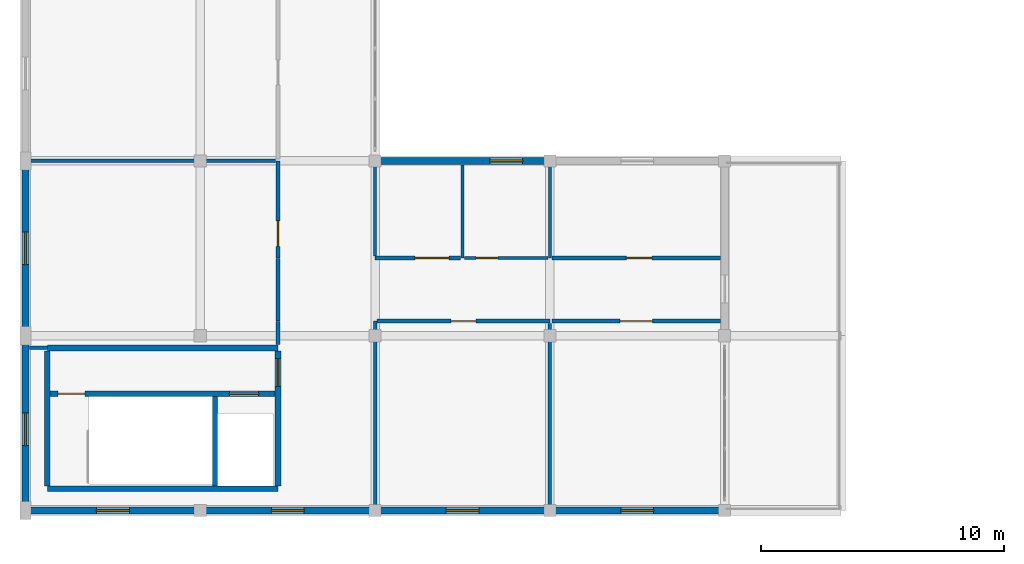
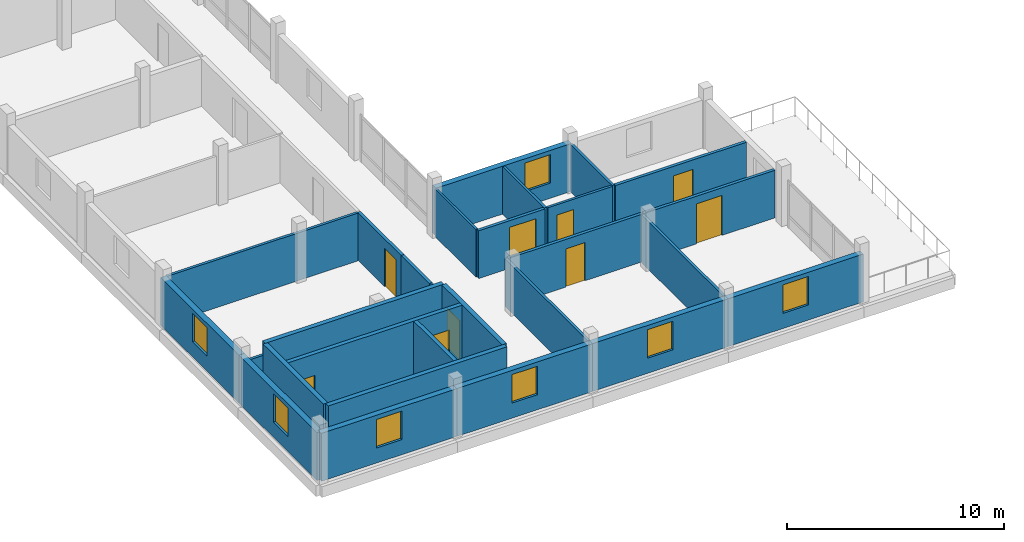
# One storey, part 14 of 18: 28 walls, 9 doors, 7 windows, 16 openings.
"""IFC4 building model written with IfcOpenShell, lengths in metres."""

from ifc_helpers import new_model, si_unit, direction, frame, frame_2d, origin, origin_with_axes, place, context, subcontext, project, spatial, rectangle, extrude, material, layer, layer_set, type_object, element, fill, save


model = new_model("IFC4")

# Units and contexts
model_context = context("Model", 3, precision=1e-05, world=origin(), true_north=direction((0.0, 1.0)))
body_context = subcontext(model_context, "Body", "Model", "MODEL_VIEW")
ifc_project = project(units=[si_unit("LENGTHUNIT", "METRE"), si_unit("AREAUNIT", "SQUARE_METRE"), si_unit("VOLUMEUNIT", "CUBIC_METRE"), si_unit("PLANEANGLEUNIT", "RADIAN"), si_unit("MASSUNIT", "GRAM", prefix="KILO")], contexts=[model_context])

# Site, building, storey
site_placement = place(None, origin())
site = spatial("IfcSite", under=ifc_project, at=site_placement, CompositionType="ELEMENT")
building_placement = place(site_placement, origin())
building = spatial("IfcBuilding", under=site, at=building_placement, Name="Zornivar Specialist Clinic", CompositionType="ELEMENT")
storey_placement = place(building_placement, frame((0.0, 0.0, 23.39990234375)))
storey = spatial("IfcBuildingStorey", under=building, at=storey_placement, Name="L06", CompositionType="ELEMENT", Elevation=23.39990234375)

# Wall, opening, window
ifc_material_1 = material(Name="Masonry Timber-Clad Insulated Upper Cumba Wall", Category="masonry")
ifc_layer_1 = layer(ifc_material_1, 0.300048828125)
ifc_layer_set_1 = layer_set([ifc_layer_1], Name="Masonry Timber-Clad Insulated Upper Cumba Wall")
wall_type_1 = type_object("IfcWallType", Name="EW-CUMBA-300", PredefinedType="SOLIDWALL", material=ifc_layer_set_1)
wall_1_placement = place(storey_placement, origin_with_axes())
wall_1 = element("IfcWall", 1, at=wall_1_placement, inside=storey, type_object=wall_type_1, Name="ew:V2:L06:00", PredefinedType="SOLIDWALL", context=body_context, shape_type="SweptSolid", body=[
    extrude(rectangle(XDim=7.199951171875, YDim=0.300048828125, at=frame_2d((3.60009765625, 0.0))), origin(), (0.0, 0.0, 1.0), 2.690185546875),
])
opening_1_placement = place(wall_1_placement, frame((2.925048828125, 0.0, 0.85009765625)))
opening_1 = element("IfcOpeningElement", 2, at=opening_1_placement, cuts=wall_1, Name="Opening W-11", PredefinedType="OPENING", context=body_context, shape_type="SweptSolid", body=[
    extrude(rectangle(XDim=1.35009765625, YDim=1.60009765625, at=frame_2d((0.675048828125, 0.800048828125))), frame((0.0, 0.159912109375, 0.0), z_axis=(0.0, -1.0, 0.0), x_axis=(1.0, 0.0, 0.0)), (0.0, 0.0, 1.0), 0.320068359375),
])
ifc_material_2 = material(Name="Triple-Glazed Aluminium-Timber Window Glass", Category="wood")
window_type = type_object("IfcWindowType", Name="WIN-ATTIC-CORNER-1350x1600", PartitioningType="SINGLE_PANEL", PredefinedType="WINDOW", material=ifc_material_2)
window_1_placement = place(opening_1_placement, origin())
window_1 = element("IfcWindow", 3, at=window_1_placement, inside=storey, type_object=window_type, Name="win:V2:L06:00", OverallHeight=1.60009765625, OverallWidth=1.35009765625, PartitioningType="SINGLE_PANEL", PredefinedType="WINDOW", context=body_context, shape_type="SweptSolid", body=[
    extrude(rectangle(XDim=1.35009765625, YDim=1.60009765625, at=frame_2d((0.675048828125, 0.800048828125))), frame((0.0, 0.030029296875, 0.0), z_axis=(0.0, -1.0, 0.0), x_axis=(1.0, 0.0, 0.0)), (0.0, 0.0, 1.0), 0.06005859375),
])
fill(opening_1, window_1)

wall_2_placement = place(storey_placement, frame((7.199951171875, 0.0, 0.0), z_axis=(0.0, 0.0, 1.0), x_axis=(1.0, 0.0, 0.0)))
wall_2 = element("IfcWall", 4, at=wall_2_placement, inside=storey, type_object=wall_type_1, Name="ew:V2:L06:01", PredefinedType="SOLIDWALL", context=body_context, shape_type="SweptSolid", body=[
    extrude(rectangle(XDim=7.199951171875, YDim=0.300048828125, at=frame_2d((3.60009765625, 0.0))), origin(), (0.0, 0.0, 1.0), 2.690185546875),
])
opening_2_placement = place(wall_2_placement, frame((2.925048828125, 0.0, 0.85009765625)))
opening_2 = element("IfcOpeningElement", 5, at=opening_2_placement, cuts=wall_2, Name="Opening W-11", PredefinedType="OPENING", context=body_context, shape_type="SweptSolid", body=[
    extrude(rectangle(XDim=1.35009765625, YDim=1.60009765625, at=frame_2d((0.675048828125, 0.800048828125))), frame((0.0, 0.159912109375, 0.0), z_axis=(0.0, -1.0, 0.0), x_axis=(1.0, 0.0, 0.0)), (0.0, 0.0, 1.0), 0.320068359375),
])
window_2_placement = place(opening_2_placement, origin())
window_2 = element("IfcWindow", 6, at=window_2_placement, inside=storey, type_object=window_type, Name="win:V2:L06:01", OverallHeight=1.60009765625, OverallWidth=1.35009765625, PartitioningType="SINGLE_PANEL", PredefinedType="WINDOW", context=body_context, shape_type="SweptSolid", body=[
    extrude(rectangle(XDim=1.35009765625, YDim=1.60009765625, at=frame_2d((0.675048828125, 0.800048828125))), frame((0.0, 0.030029296875, 0.0), z_axis=(0.0, -1.0, 0.0), x_axis=(1.0, 0.0, 0.0)), (0.0, 0.0, 1.0), 0.06005859375),
])
fill(opening_2, window_2)

wall_3_placement = place(storey_placement, frame((14.39990234375, 0.0, 0.0), z_axis=(0.0, 0.0, 1.0), x_axis=(1.0, 0.0, 0.0)))
wall_3 = element("IfcWall", 7, at=wall_3_placement, inside=storey, type_object=wall_type_1, Name="ew:V2:L06:02", PredefinedType="SOLIDWALL", context=body_context, shape_type="SweptSolid", body=[
    extrude(rectangle(XDim=7.2001953125, YDim=0.300048828125, at=frame_2d((3.60009765625, 0.0))), origin(), (0.0, 0.0, 1.0), 2.690185546875),
])
opening_3_placement = place(wall_3_placement, frame((2.925048828125, 0.0, 0.85009765625)))
opening_3 = element("IfcOpeningElement", 8, at=opening_3_placement, cuts=wall_3, Name="Opening W-11", PredefinedType="OPENING", context=body_context, shape_type="SweptSolid", body=[
    extrude(rectangle(XDim=1.35009765625, YDim=1.60009765625, at=frame_2d((0.675048828125, 0.800048828125))), frame((0.0, 0.159912109375, 0.0), z_axis=(0.0, -1.0, 0.0), x_axis=(1.0, 0.0, 0.0)), (0.0, 0.0, 1.0), 0.320068359375),
])
window_3_placement = place(opening_3_placement, origin())
window_3 = element("IfcWindow", 9, at=window_3_placement, inside=storey, type_object=window_type, Name="win:V2:L06:02", OverallHeight=1.60009765625, OverallWidth=1.35009765625, PartitioningType="SINGLE_PANEL", PredefinedType="WINDOW", context=body_context, shape_type="SweptSolid", body=[
    extrude(rectangle(XDim=1.35009765625, YDim=1.60009765625, at=frame_2d((0.675048828125, 0.800048828125))), frame((0.0, 0.030029296875, 0.0), z_axis=(0.0, -1.0, 0.0), x_axis=(1.0, 0.0, 0.0)), (0.0, 0.0, 1.0), 0.06005859375),
])
fill(opening_3, window_3)

wall_4_placement = place(storey_placement, frame((21.60009765625, 0.0, 0.0), z_axis=(0.0, 0.0, 1.0), x_axis=(1.0, 0.0, 0.0)))
wall_4 = element("IfcWall", 10, at=wall_4_placement, inside=storey, type_object=wall_type_1, Name="ew:V2:L06:03", PredefinedType="SOLIDWALL", context=body_context, shape_type="SweptSolid", body=[
    extrude(rectangle(XDim=7.199951171875, YDim=0.300048828125, at=frame_2d((3.60009765625, 0.0))), origin(), (0.0, 0.0, 1.0), 2.690185546875),
])
opening_4_placement = place(wall_4_placement, frame((2.925048828125, 0.0, 0.85009765625)))
opening_4 = element("IfcOpeningElement", 11, at=opening_4_placement, cuts=wall_4, Name="Opening W-11", PredefinedType="OPENING", context=body_context, shape_type="SweptSolid", body=[
    extrude(rectangle(XDim=1.35009765625, YDim=1.60009765625, at=frame_2d((0.675048828125, 0.800048828125))), frame((0.0, 0.159912109375, 0.0), z_axis=(0.0, -1.0, 0.0), x_axis=(1.0, 0.0, 0.0)), (0.0, 0.0, 1.0), 0.320068359375),
])
window_4_placement = place(opening_4_placement, origin())
window_4 = element("IfcWindow", 12, at=window_4_placement, inside=storey, type_object=window_type, Name="win:V2:L06:03", OverallHeight=1.60009765625, OverallWidth=1.35009765625, PartitioningType="SINGLE_PANEL", PredefinedType="WINDOW", context=body_context, shape_type="SweptSolid", body=[
    extrude(rectangle(XDim=1.35009765625, YDim=1.60009765625, at=frame_2d((0.675048828125, 0.800048828125))), frame((0.0, 0.030029296875, 0.0), z_axis=(0.0, -1.0, 0.0), x_axis=(1.0, 0.0, 0.0)), (0.0, 0.0, 1.0), 0.06005859375),
])
fill(opening_4, window_4)

wall_5_placement = place(storey_placement, frame((21.60009765625, 14.39990234375, 0.0), z_axis=(0.0, 0.0, 1.0), x_axis=(-1.0, 0.0, 0.0)))
wall_5 = element("IfcWall", 13, at=wall_5_placement, inside=storey, type_object=wall_type_1, Name="ew:V2:L06:07", PredefinedType="SOLIDWALL", context=body_context, shape_type="SweptSolid", body=[
    extrude(rectangle(XDim=7.2001953125, YDim=0.300048828125, at=frame_2d((3.60009765625, 0.0))), origin(), (0.0, 0.0, 1.0), 2.690185546875),
])
opening_5_placement = place(wall_5_placement, frame((1.125, 0.0, 0.85009765625)))
opening_5 = element("IfcOpeningElement", 14, at=opening_5_placement, cuts=wall_5, Name="Opening W-11", PredefinedType="OPENING", context=body_context, shape_type="SweptSolid", body=[
    extrude(rectangle(XDim=1.35009765625, YDim=1.60009765625, at=frame_2d((0.675048828125, 0.800048828125))), frame((0.0, 0.159912109375, 0.0), z_axis=(0.0, -1.0, 0.0), x_axis=(1.0, 0.0, 0.0)), (0.0, 0.0, 1.0), 0.320068359375),
])
window_5_placement = place(opening_5_placement, origin())
window_5 = element("IfcWindow", 15, at=window_5_placement, inside=storey, type_object=window_type, Name="win:V2:L06:07", OverallHeight=1.60009765625, OverallWidth=1.35009765625, PartitioningType="SINGLE_PANEL", PredefinedType="WINDOW", context=body_context, shape_type="SweptSolid", body=[
    extrude(rectangle(XDim=1.35009765625, YDim=1.60009765625, at=frame_2d((0.675048828125, 0.800048828125))), frame((0.0, 0.030029296875, 0.0), z_axis=(0.0, -1.0, 0.0), x_axis=(1.0, 0.0, 0.0)), (0.0, 0.0, 1.0), 0.06005859375),
])
fill(opening_5, window_5)

wall_6_placement = place(storey_placement, frame((0.0, 14.39990234375, 0.0), z_axis=(0.0, 0.0, 1.0), x_axis=(0.0, -1.0, 0.0)))
wall_6 = element("IfcWall", 16, at=wall_6_placement, inside=storey, type_object=wall_type_1, Name="ew:V2:L06:18", PredefinedType="SOLIDWALL", context=body_context, shape_type="SweptSolid", body=[
    extrude(rectangle(XDim=7.199951171875, YDim=0.300048828125, at=frame_2d((3.60009765625, 0.0))), origin(), (0.0, 0.0, 1.0), 2.690185546875),
])
opening_6_placement = place(wall_6_placement, frame((2.925048828125, 0.0, 0.85009765625)))
opening_6 = element("IfcOpeningElement", 17, at=opening_6_placement, cuts=wall_6, Name="Opening W-11", PredefinedType="OPENING", context=body_context, shape_type="SweptSolid", body=[
    extrude(rectangle(XDim=1.35009765625, YDim=1.60009765625, at=frame_2d((0.675048828125, 0.800048828125))), frame((0.0, 0.159912109375, 0.0), z_axis=(0.0, -1.0, 0.0), x_axis=(1.0, 0.0, 0.0)), (0.0, 0.0, 1.0), 0.320068359375),
])
window_6_placement = place(opening_6_placement, origin())
window_6 = element("IfcWindow", 18, at=window_6_placement, inside=storey, type_object=window_type, Name="win:V2:L06:18", OverallHeight=1.60009765625, OverallWidth=1.35009765625, PartitioningType="SINGLE_PANEL", PredefinedType="WINDOW", context=body_context, shape_type="SweptSolid", body=[
    extrude(rectangle(XDim=1.35009765625, YDim=1.60009765625, at=frame_2d((0.675048828125, 0.800048828125))), frame((0.0, 0.030029296875, 0.0), z_axis=(0.0, -1.0, 0.0), x_axis=(1.0, 0.0, 0.0)), (0.0, 0.0, 1.0), 0.06005859375),
])
fill(opening_6, window_6)

wall_7_placement = place(storey_placement, frame((0.0, 7.199951171875, 0.0), z_axis=(0.0, 0.0, 1.0), x_axis=(0.0, -1.0, 0.0)))
wall_7 = element("IfcWall", 19, at=wall_7_placement, inside=storey, type_object=wall_type_1, Name="ew:V2:L06:19", PredefinedType="SOLIDWALL", context=body_context, shape_type="SweptSolid", body=[
    extrude(rectangle(XDim=7.199951171875, YDim=0.300048828125, at=frame_2d((3.60009765625, 0.0))), origin(), (0.0, 0.0, 1.0), 2.690185546875),
])
opening_7_placement = place(wall_7_placement, frame((3.175048828125, 0.0, 0.85009765625)))
opening_7 = element("IfcOpeningElement", 20, at=opening_7_placement, cuts=wall_7, Name="Opening W-11", PredefinedType="OPENING", context=body_context, shape_type="SweptSolid", body=[
    extrude(rectangle(XDim=1.35009765625, YDim=1.60009765625, at=frame_2d((0.675048828125, 0.800048828125))), frame((0.0, 0.159912109375, 0.0), z_axis=(0.0, -1.0, 0.0), x_axis=(1.0, 0.0, 0.0)), (0.0, 0.0, 1.0), 0.320068359375),
])
window_7_placement = place(opening_7_placement, origin())
window_7 = element("IfcWindow", 21, at=window_7_placement, inside=storey, type_object=window_type, Name="win:V2:L06:19", OverallHeight=1.60009765625, OverallWidth=1.35009765625, PartitioningType="SINGLE_PANEL", PredefinedType="WINDOW", context=body_context, shape_type="SweptSolid", body=[
    extrude(rectangle(XDim=1.35009765625, YDim=1.60009765625, at=frame_2d((0.675048828125, 0.800048828125))), frame((0.0, 0.030029296875, 0.0), z_axis=(0.0, -1.0, 0.0), x_axis=(1.0, 0.0, 0.0)), (0.0, 0.0, 1.0), 0.06005859375),
])
fill(opening_7, window_7)

# Walls
ifc_material_3 = material(Name="Acoustic Clinical Stud Partition")
ifc_layer_2 = layer(ifc_material_3, 0.139892578125)
ifc_layer_set_2 = layer_set([ifc_layer_2], Name="Acoustic Clinical Stud Partition")
wall_type_2 = type_object("IfcWallType", Name="IW-CLIN-140", PredefinedType="PARTITIONING", material=ifc_layer_set_2)
wall_8_placement = place(storey_placement, frame((0.89990234375, 6.699951171875, 0.0), z_axis=(0.0, 0.0, 1.0), x_axis=(-1.0, 0.0, 0.0)))
element("IfcWall", 22, at=wall_8_placement, inside=storey, type_object=wall_type_2, Name="iw:L06:003", PredefinedType="PARTITIONING", context=body_context, shape_type="SweptSolid", body=[
    extrude(rectangle(XDim=0.73486328125, YDim=0.139892578125, at=frame_2d((0.367431640625, 0.0))), origin(), (0.0, 0.0, 1.0), 2.68017578125),
])
wall_9_placement = place(storey_placement, frame((0.1650390625, 14.39990234375, 0.0), z_axis=(0.0, 0.0, 1.0), x_axis=(1.0, 0.0, 0.0)))
element("IfcWall", 23, at=wall_9_placement, inside=storey, type_object=wall_type_2, Name="iw:L06:004", PredefinedType="PARTITIONING", context=body_context, shape_type="SweptSolid", body=[
    extrude(rectangle(XDim=10.140869140625, YDim=0.139892578125, at=frame_2d((5.0703125, 0.0))), origin(), (0.0, 0.0, 1.0), 2.68017578125),
])
wall_10_placement = place(storey_placement, frame((14.39990234375, 0.1650390625, 0.0), z_axis=(0.0, 0.0, 1.0), x_axis=(0.0, 1.0, 0.0)))
element("IfcWall", 24, at=wall_10_placement, inside=storey, type_object=wall_type_2, Name="iw:L06:011", PredefinedType="PARTITIONING", context=body_context, shape_type="SweptSolid", body=[
    extrude(rectangle(XDim=7.635009765625, YDim=0.139892578125, at=frame_2d((3.8173828125, 0.0))), origin(), (0.0, 0.0, 1.0), 2.68017578125),
])
wall_11_placement = place(storey_placement, frame((21.60009765625, 7.7060546875, 0.0), z_axis=(0.0, 0.0, 1.0), x_axis=(0.0, -1.0, 0.0)))
element("IfcWall", 25, at=wall_11_placement, inside=storey, type_object=wall_type_2, Name="iw:L06:013", PredefinedType="PARTITIONING", context=body_context, shape_type="SweptSolid", body=[
    extrude(rectangle(XDim=7.541015625, YDim=0.139892578125, at=frame_2d((3.7705078125, 0.0))), origin(), (0.0, 0.0, 1.0), 2.68017578125),
])

# Wall, opening, door
ifc_material_4 = material(Name="Gypsum Fire-Rated Double Stud Partition")
ifc_layer_3 = layer(ifc_material_4, 0.159912109375)
ifc_layer_set_3 = layer_set([ifc_layer_3], Name="Gypsum Fire-Rated Double Stud Partition")
wall_type_3 = type_object("IfcWallType", Name="IW-CORR-EI60-160", PredefinedType="PARTITIONING", material=ifc_layer_set_3)
wall_12_placement = place(storey_placement, frame((10.39990234375, 14.39990234375, 0.0), z_axis=(0.0, 0.0, 1.0), x_axis=(0.0, -1.0, 0.0)))
wall_12 = element("IfcWall", 26, at=wall_12_placement, inside=storey, type_object=wall_type_3, Name="iw:L06:000", PredefinedType="PARTITIONING", context=body_context, shape_type="SweptSolid", body=[
    extrude(rectangle(XDim=4.0, YDim=0.159912109375, at=frame_2d((2.0, 0.0))), origin(), (0.0, 0.0, 1.0), 2.68017578125),
])
opening_8_placement = place(wall_12_placement, frame((2.469970703125, 0.0, 0.0)))
opening_8 = element("IfcOpeningElement", 27, at=opening_8_placement, cuts=wall_12, Name="Opening ID-03", PredefinedType="OPENING", context=body_context, shape_type="SweptSolid", body=[
    extrude(rectangle(XDim=1.050048828125, YDim=2.14990234375, at=frame_2d((0.52490234375, 1.074951171875))), frame((0.0, 0.08984375, 0.0), z_axis=(0.0, -1.0, 0.0), x_axis=(1.0, 0.0, 0.0)), (0.0, 0.0, 1.0), 0.179931640625),
])
ifc_material_5 = material(Name="Solid-Core Hygienic Laminate Timber Door", Category="wood")
door_type_1 = type_object("IfcDoorType", Name="ID-CONS-1050x2150", OperationType="NOTDEFINED", PredefinedType="DOOR", material=ifc_material_5)
door_1_placement = place(opening_8_placement, origin())
door_1 = element("IfcDoor", 28, at=door_1_placement, inside=storey, type_object=door_type_1, Name="door:space:V2:L06:rm:00", OperationType="SINGLE_SWING_RIGHT", OverallHeight=2.14990234375, OverallWidth=1.050048828125, PredefinedType="DOOR", context=body_context, shape_type="SweptSolid", body=[
    extrude(rectangle(XDim=1.050048828125, YDim=2.14990234375, at=frame_2d((0.52490234375, 1.074951171875))), frame((0.0, 0.02490234375, 0.0), z_axis=(0.0, -1.0, 0.0), x_axis=(1.0, 0.0, 0.0)), (0.0, 0.0, 1.0), 0.050048828125),
])
fill(opening_8, door_1)

# Walls
wall_13_placement = place(storey_placement, frame((10.39990234375, 10.387939453125, 0.0), z_axis=(0.0, 0.0, 1.0), x_axis=(0.0, -1.0, 0.0)))
element("IfcWall", 29, at=wall_13_placement, inside=storey, type_object=wall_type_3, Name="iw:L06:001", PredefinedType="PARTITIONING", context=body_context, shape_type="SweptSolid", body=[
    extrude(rectangle(XDim=2.587890625, YDim=0.159912109375, at=frame_2d((1.2939453125, 0.0))), origin(), (0.0, 0.0, 1.0), 2.68017578125),
])
wall_14_placement = place(storey_placement, frame((10.39990234375, 7.7880859375, 0.0), z_axis=(0.0, 0.0, 1.0), x_axis=(0.0, -1.0, 0.0)))
element("IfcWall", 30, at=wall_14_placement, inside=storey, type_object=wall_type_3, Name="iw:L06:002", PredefinedType="PARTITIONING", context=body_context, shape_type="SweptSolid", body=[
    extrude(rectangle(XDim=0.953125, YDim=0.159912109375, at=frame_2d((0.4765625, 0.0))), origin(), (0.0, 0.0, 1.0), 2.68017578125),
])

# Wall, opening, door
wall_15_placement = place(storey_placement, frame((14.48388671875, 7.800048828125, 0.0), z_axis=(0.0, 0.0, 1.0), x_axis=(1.0, 0.0, 0.0)))
wall_15 = element("IfcWall", 31, at=wall_15_placement, inside=storey, type_object=wall_type_3, Name="iw:L06:012", PredefinedType="PARTITIONING", context=body_context, shape_type="SweptSolid", body=[
    extrude(rectangle(XDim=7.1162109375, YDim=0.159912109375, at=frame_2d((3.55810546875, 0.0))), origin(), (0.0, 0.0, 1.0), 2.68017578125),
])
opening_9_placement = place(wall_15_placement, frame((3.048095703125, 0.0, 0.0)))
opening_9 = element("IfcOpeningElement", 32, at=opening_9_placement, cuts=wall_15, Name="Opening ID-14", PredefinedType="OPENING", context=body_context, shape_type="SweptSolid", body=[
    extrude(rectangle(XDim=1.02001953125, YDim=2.14990234375, at=frame_2d((0.510009765625, 1.074951171875))), frame((0.0, 0.08984375, 0.0), z_axis=(0.0, -1.0, 0.0), x_axis=(1.0, 0.0, 0.0)), (0.0, 0.0, 1.0), 0.179931640625),
])
ifc_material_6 = material(Name="Solid-Core Hygienic Laminate Timber Door", Category="wood")
door_type_2 = type_object("IfcDoorType", Name="ID-OFFICE-1020x2150", OperationType="NOTDEFINED", PredefinedType="DOOR", material=ifc_material_6)
door_2_placement = place(opening_9_placement, origin())
door_2 = element("IfcDoor", 33, at=door_2_placement, inside=storey, type_object=door_type_2, Name="door:space:V2:L06:rm:04", OperationType="SINGLE_SWING_RIGHT", OverallHeight=2.14990234375, OverallWidth=1.02001953125, PredefinedType="DOOR", context=body_context, shape_type="SweptSolid", body=[
    extrude(rectangle(XDim=1.02001953125, YDim=2.14990234375, at=frame_2d((0.510009765625, 1.074951171875))), frame((0.0, 0.02490234375, 0.0), z_axis=(0.0, -1.0, 0.0), x_axis=(1.0, 0.0, 0.0)), (0.0, 0.0, 1.0), 0.050048828125),
])
fill(opening_9, door_2)

wall_16_placement = place(storey_placement, frame((17.9208984375, 10.39990234375, 0.0), z_axis=(0.0, 0.0, 1.0), x_axis=(-1.0, 0.0, 0.0)))
wall_16 = element("IfcWall", 34, at=wall_16_placement, inside=storey, type_object=wall_type_3, Name="iw:L06:017", PredefinedType="PARTITIONING", context=body_context, shape_type="SweptSolid", body=[
    extrude(rectangle(XDim=3.52099609375, YDim=0.159912109375, at=frame_2d((1.760498046875, 0.0))), origin(), (0.0, 0.0, 1.0), 2.68017578125),
])
opening_10_placement = place(wall_16_placement, frame((0.47998046875, 0.0, 0.0)))
opening_10 = element("IfcOpeningElement", 35, at=opening_10_placement, cuts=wall_16, Name="Opening ID-12", PredefinedType="OPENING", context=body_context, shape_type="SweptSolid", body=[
    extrude(rectangle(XDim=1.39990234375, YDim=2.300048828125, at=frame_2d((0.699951171875, 1.14990234375))), frame((0.0, 0.08984375, 0.0), z_axis=(0.0, -1.0, 0.0), x_axis=(1.0, 0.0, 0.0)), (0.0, 0.0, 1.0), 0.179931640625),
])
ifc_material_7 = material(Name="Solid-Core Hygienic Laminate Timber Door", Category="wood")
door_type_3 = type_object("IfcDoorType", Name="ID-WAIT-1400x2300", OperationType="NOTDEFINED", PredefinedType="DOOR", material=ifc_material_7)
door_3_placement = place(opening_10_placement, origin())
door_3 = element("IfcDoor", 36, at=door_3_placement, inside=storey, type_object=door_type_3, Name="door:space:V2:L06:rm:05b", OperationType="DOUBLE_DOOR_SINGLE_SWING", OverallHeight=2.300048828125, OverallWidth=1.39990234375, PredefinedType="DOOR", context=body_context, shape_type="SweptSolid", body=[
    extrude(rectangle(XDim=1.39990234375, YDim=2.300048828125, at=frame_2d((0.699951171875, 1.14990234375))), frame((0.0, 0.02490234375, 0.0), z_axis=(0.0, -1.0, 0.0), x_axis=(1.0, 0.0, 0.0)), (0.0, 0.0, 1.0), 0.050048828125),
])
fill(opening_10, door_3)

wall_17_placement = place(storey_placement, frame((21.68408203125, 7.800048828125, 0.0), z_axis=(0.0, 0.0, 1.0), x_axis=(1.0, 0.0, 0.0)))
wall_17 = element("IfcWall", 37, at=wall_17_placement, inside=storey, type_object=wall_type_3, Name="iw:L06:019", PredefinedType="PARTITIONING", context=body_context, shape_type="SweptSolid", body=[
    extrude(rectangle(XDim=6.950927734375, YDim=0.159912109375, at=frame_2d((3.4755859375, 0.0))), origin(), (0.0, 0.0, 1.0), 2.68017578125),
])
opening_11_placement = place(wall_17_placement, frame((2.800048828125, 0.0, 0.0)))
opening_11 = element("IfcOpeningElement", 38, at=opening_11_placement, cuts=wall_17, Name="Opening ID-10", PredefinedType="OPENING", context=body_context, shape_type="SweptSolid", body=[
    extrude(rectangle(XDim=1.35009765625, YDim=2.25, at=frame_2d((0.675048828125, 1.125))), frame((0.0, 0.08984375, 0.0), z_axis=(0.0, -1.0, 0.0), x_axis=(1.0, 0.0, 0.0)), (0.0, 0.0, 1.0), 0.179931640625),
])
ifc_material_8 = material(Name="Solid-Core Hygienic Laminate Timber Door", Category="wood")
door_type_4 = type_object("IfcDoorType", Name="ID-TEACH-1350x2250", OperationType="NOTDEFINED", PredefinedType="DOOR", material=ifc_material_8)
door_4_placement = place(opening_11_placement, origin())
door_4 = element("IfcDoor", 39, at=door_4_placement, inside=storey, type_object=door_type_4, Name="door:space:V2:L06:rm:07", OperationType="SINGLE_SWING_LEFT", OverallHeight=2.25, OverallWidth=1.35009765625, PredefinedType="DOOR", context=body_context, shape_type="SweptSolid", body=[
    extrude(rectangle(XDim=1.35009765625, YDim=2.25, at=frame_2d((0.675048828125, 1.125))), frame((0.0, 0.02490234375, 0.0), z_axis=(0.0, -1.0, 0.0), x_axis=(1.0, 0.0, 0.0)), (0.0, 0.0, 1.0), 0.050048828125),
])
fill(opening_11, door_4)

wall_18_placement = place(storey_placement, frame((28.635009765625, 10.39990234375, 0.0), z_axis=(0.0, 0.0, 1.0), x_axis=(-1.0, 0.0, 0.0)))
wall_18 = element("IfcWall", 40, at=wall_18_placement, inside=storey, type_object=wall_type_3, Name="iw:L06:020", PredefinedType="PARTITIONING", context=body_context, shape_type="SweptSolid", body=[
    extrude(rectangle(XDim=6.9560546875, YDim=0.159912109375, at=frame_2d((3.47802734375, 0.0))), origin(), (0.0, 0.0, 1.0), 2.68017578125),
])
opening_12_placement = place(wall_18_placement, frame((2.8349609375, 0.0, 0.0)))
opening_12 = element("IfcOpeningElement", 41, at=opening_12_placement, cuts=wall_18, Name="Opening ID-03", PredefinedType="OPENING", context=body_context, shape_type="SweptSolid", body=[
    extrude(rectangle(XDim=1.050048828125, YDim=2.14990234375, at=frame_2d((0.52490234375, 1.074951171875))), frame((0.0, 0.08984375, 0.0), z_axis=(0.0, -1.0, 0.0), x_axis=(1.0, 0.0, 0.0)), (0.0, 0.0, 1.0), 0.179931640625),
])
door_5_placement = place(opening_12_placement, origin())
door_5 = element("IfcDoor", 42, at=door_5_placement, inside=storey, type_object=door_type_1, Name="door:space:V2:L06:rm:08", OperationType="SINGLE_SWING_RIGHT", OverallHeight=2.14990234375, OverallWidth=1.050048828125, PredefinedType="DOOR", context=body_context, shape_type="SweptSolid", body=[
    extrude(rectangle(XDim=1.050048828125, YDim=2.14990234375, at=frame_2d((0.52490234375, 1.074951171875))), frame((0.0, 0.02490234375, 0.0), z_axis=(0.0, -1.0, 0.0), x_axis=(1.0, 0.0, 0.0)), (0.0, 0.0, 1.0), 0.050048828125),
])
fill(opening_12, door_5)

# Walls
ifc_material_9 = material(Name="Acoustic Sub-Waiting Alcove Partition")
ifc_layer_4 = layer(ifc_material_9, 0.110107421875)
ifc_layer_set_4 = layer_set([ifc_layer_4], Name="Acoustic Sub-Waiting Alcove Partition")
wall_type_4 = type_object("IfcWallType", Name="IW-SUBWAIT-110", PredefinedType="PARTITIONING", material=ifc_layer_set_4)
wall_19_placement = place(storey_placement, frame((14.39990234375, 10.493896484375, 0.0), z_axis=(0.0, 0.0, 1.0), x_axis=(0.0, 1.0, 0.0)))
element("IfcWall", 43, at=wall_19_placement, inside=storey, type_object=wall_type_4, Name="iw:L06:018", PredefinedType="PARTITIONING", context=body_context, shape_type="SweptSolid", body=[
    extrude(rectangle(XDim=3.7412109375, YDim=0.110107421875, at=frame_2d((1.87060546875, 0.0))), origin(), (0.0, 0.0, 1.0), 2.68017578125),
])
ifc_material_10 = material(Name="Moisture-Resistant Sanitary Partition")
ifc_layer_5 = layer(ifc_material_10, 0.1298828125)
ifc_layer_set_5 = layer_set([ifc_layer_5], Name="Moisture-Resistant Sanitary Partition")
wall_type_5 = type_object("IfcWallType", Name="IW-WET-130", PredefinedType="PARTITIONING", material=ifc_layer_set_5)
for number, where, z_axis, x_axis, name in (
    (44, (18.0, 10.39990234375, 0.0), (0.0, 0.0, 1.0), (0.0, 1.0, 0.0), "iw:L06:014"),
    (45, (21.60009765625, 14.235107421875, 0.0), (0.0, 0.0, 1.0), (0.0, -1.0, 0.0), "iw:L06:015"),
):
    element("IfcWall", number, at=place(storey_placement, frame(where, z_axis=z_axis, x_axis=x_axis)), inside=storey, type_object=wall_type_5, Name=name, PredefinedType="PARTITIONING", context=body_context, shape_type="SweptSolid", body=[
        extrude(rectangle(XDim=3.835205078125, YDim=0.1298828125, at=frame_2d((1.91748046875, 0.0))), origin(), (0.0, 0.0, 1.0), 2.68017578125),
    ])

# Wall, opening, door
wall_20_placement = place(storey_placement, frame((21.52099609375, 10.39990234375, 0.0), z_axis=(0.0, 0.0, 1.0), x_axis=(-1.0, 0.0, 0.0)))
wall_20 = element("IfcWall", 46, at=wall_20_placement, inside=storey, type_object=wall_type_5, Name="iw:L06:016", PredefinedType="PARTITIONING", context=body_context, shape_type="SweptSolid", body=[
    extrude(rectangle(XDim=3.44189453125, YDim=0.1298828125, at=frame_2d((1.720947265625, 0.0))), origin(), (0.0, 0.0, 1.0), 2.68017578125),
])
opening_13_placement = place(wall_20_placement, frame((2.06201171875, 0.0, 0.0)))
opening_13 = element("IfcOpeningElement", 47, at=opening_13_placement, cuts=wall_20, Name="Opening ID-08", PredefinedType="OPENING", context=body_context, shape_type="SweptSolid", body=[
    extrude(rectangle(XDim=0.89990234375, YDim=2.10009765625, at=frame_2d((0.449951171875, 1.050048828125))), frame((0.0, 0.074951171875, 0.0), z_axis=(0.0, -1.0, 0.0), x_axis=(1.0, 0.0, 0.0)), (0.0, 0.0, 1.0), 0.14990234375),
])
ifc_material_11 = material(Name="Solid-Core Hygienic Laminate Timber Door", Category="wood")
door_type_5 = type_object("IfcDoorType", Name="ID-WC-STD-0900x2100", OperationType="NOTDEFINED", PredefinedType="DOOR", material=ifc_material_11)
door_6_placement = place(opening_13_placement, origin())
door_6 = element("IfcDoor", 48, at=door_6_placement, inside=storey, type_object=door_type_5, Name="door:space:V2:L06:rm:05", OperationType="SINGLE_SWING_LEFT", OverallHeight=2.10009765625, OverallWidth=0.89990234375, PredefinedType="DOOR", context=body_context, shape_type="SweptSolid", body=[
    extrude(rectangle(XDim=0.89990234375, YDim=2.10009765625, at=frame_2d((0.449951171875, 1.050048828125))), frame((0.0, 0.02490234375, 0.0), z_axis=(0.0, -1.0, 0.0), x_axis=(1.0, 0.0, 0.0)), (0.0, 0.0, 1.0), 0.050048828125),
])
fill(opening_13, door_6)

# Wall
ifc_material_12 = material(Name="Concrete C35/45", Category="concrete")
ifc_layer_6 = layer(ifc_material_12, 0.239990234375)
ifc_layer_set_6 = layer_set([ifc_layer_6], Name="Concrete C35/45")
wall_type_6 = type_object("IfcWallType", Name="SW-CORE-240", PredefinedType="SHEAR", material=ifc_layer_set_6)
wall_21_placement = place(storey_placement, frame((0.89990234375, 0.89990234375, 0.0), z_axis=(0.0, 0.0, 1.0), x_axis=(1.0, 0.0, 0.0)))
element("IfcWall", 49, at=wall_21_placement, inside=storey, type_object=wall_type_6, Name="sw:C1:L06:w0", PredefinedType="SHEAR", context=body_context, shape_type="SweptSolid", body=[
    extrude(rectangle(XDim=9.5, YDim=0.239990234375, at=frame_2d((4.75, 0.0))), origin(), (0.0, 0.0, 1.0), 3.360107421875),
])

# Wall, opening, door
wall_22_placement = place(storey_placement, frame((10.39990234375, 1.02001953125, 0.0), z_axis=(0.0, 0.0, 1.0), x_axis=(0.0, 1.0, 0.0)))
wall_22 = element("IfcWall", 50, at=wall_22_placement, inside=storey, type_object=wall_type_6, Name="sw:C1:L06:w1", PredefinedType="SHEAR", context=body_context, shape_type="SweptSolid", body=[
    extrude(rectangle(XDim=5.56005859375, YDim=0.239990234375, at=frame_2d((2.780029296875, 0.0))), origin(), (0.0, 0.0, 1.0), 3.360107421875),
])
opening_14_placement = place(wall_22_placement, frame((4.090087890625, 0.0, 0.0)))
opening_14 = element("IfcOpeningElement", 51, at=opening_14_placement, cuts=wall_22, Name="Opening FD-03", PredefinedType="OPENING", context=body_context, shape_type="SweptSolid", body=[
    extrude(rectangle(XDim=1.14990234375, YDim=2.199951171875, at=frame_2d((0.574951171875, 1.10009765625))), frame((0.0, 0.1298828125, 0.0), z_axis=(0.0, -1.0, 0.0), x_axis=(1.0, 0.0, 0.0)), (0.0, 0.0, 1.0), 0.260009765625),
])
ifc_material_13 = material(Name="Solid-Core Hygienic Laminate Timber Door", Category="wood")
door_type_6 = type_object("IfcDoorType", Name="FD-LOBBY-UPPER-1150x2200", OperationType="NOTDEFINED", PredefinedType="DOOR", material=ifc_material_13)
door_7_placement = place(opening_14_placement, origin())
door_7 = element("IfcDoor", 52, at=door_7_placement, inside=storey, type_object=door_type_6, Name="door:C1:L06:lob", OperationType="SINGLE_SWING_RIGHT", OverallHeight=2.199951171875, OverallWidth=1.14990234375, PredefinedType="DOOR", context=body_context, shape_type="SweptSolid", body=[
    extrude(rectangle(XDim=1.14990234375, YDim=2.199951171875, at=frame_2d((0.574951171875, 1.10009765625))), frame((0.0, 0.02490234375, 0.0), z_axis=(0.0, -1.0, 0.0), x_axis=(1.0, 0.0, 0.0)), (0.0, 0.0, 1.0), 0.050048828125),
])
fill(opening_14, door_7)

# Walls
wall_23_placement = place(storey_placement, frame((10.39990234375, 6.699951171875, 0.0), z_axis=(0.0, 0.0, 1.0), x_axis=(-1.0, 0.0, 0.0)))
element("IfcWall", 53, at=wall_23_placement, inside=storey, type_object=wall_type_6, Name="sw:C1:L06:w2", PredefinedType="SHEAR", context=body_context, shape_type="SweptSolid", body=[
    extrude(rectangle(XDim=9.5, YDim=0.239990234375, at=frame_2d((4.75, 0.0))), origin(), (0.0, 0.0, 1.0), 3.360107421875),
])
wall_24_placement = place(storey_placement, frame((0.89990234375, 6.580078125, 0.0), z_axis=(0.0, 0.0, 1.0), x_axis=(0.0, -1.0, 0.0)))
element("IfcWall", 54, at=wall_24_placement, inside=storey, type_object=wall_type_6, Name="sw:C1:L06:w3", PredefinedType="SHEAR", context=body_context, shape_type="SweptSolid", body=[
    extrude(rectangle(XDim=5.56005859375, YDim=0.239990234375, at=frame_2d((2.780029296875, 0.0))), origin(), (0.0, 0.0, 1.0), 3.360107421875),
])
ifc_material_14 = material(Name="Concrete C30/37", Category="concrete")
ifc_layer_7 = layer(ifc_material_14, 0.199951171875)
ifc_layer_set_7 = layer_set([ifc_layer_7], Name="Concrete C30/37")
wall_type_7 = type_object("IfcWallType", Name="SW-LIFT-200", PredefinedType="SHEAR", material=ifc_layer_set_7)
wall_25_placement = place(storey_placement, frame((7.800048828125, 1.02001953125, 0.0), z_axis=(0.0, 0.0, 1.0), x_axis=(0.0, 1.0, 0.0)))
element("IfcWall", 55, at=wall_25_placement, inside=storey, type_object=wall_type_7, Name="sw:C1:L06:sdiv", PredefinedType="SHEAR", context=body_context, shape_type="SweptSolid", body=[
    extrude(rectangle(XDim=3.679931640625, YDim=0.199951171875, at=frame_2d((1.83984375, 0.0))), origin(), (0.0, 0.0, 1.0), 3.360107421875),
])

# Wall, openings, doors
ifc_material_15 = material(Name="Concrete C30/37", Category="concrete")
ifc_layer_8 = layer(ifc_material_15, 0.219970703125)
ifc_layer_set_8 = layer_set([ifc_layer_8], Name="Concrete C30/37")
wall_type_8 = type_object("IfcWallType", Name="SW-SHAFT-220", PredefinedType="SHEAR", material=ifc_layer_set_8)
wall_26_placement = place(storey_placement, frame((1.02001953125, 4.81005859375, 0.0), z_axis=(0.0, 0.0, 1.0), x_axis=(1.0, 0.0, 0.0)))
wall_26 = element("IfcWall", 56, at=wall_26_placement, inside=storey, type_object=wall_type_8, Name="sw:C1:L06:stwall", PredefinedType="SHEAR", context=body_context, shape_type="SweptSolid", body=[
    extrude(rectangle(XDim=9.260009765625, YDim=0.219970703125, at=frame_2d((4.6298828125, 0.0))), origin(), (0.0, 0.0, 1.0), 3.360107421875),
])
opening_15_placement = place(wall_26_placement, frame((0.330078125, 0.0, 0.0)))
opening_15 = element("IfcOpeningElement", 57, at=opening_15_placement, cuts=wall_26, Name="Opening FD-02", PredefinedType="OPENING", context=body_context, shape_type="SweptSolid", body=[
    extrude(rectangle(XDim=1.10009765625, YDim=2.14990234375, at=frame_2d((0.550048828125, 1.074951171875))), frame((0.0, 0.119873046875, 0.0), z_axis=(0.0, -1.0, 0.0), x_axis=(1.0, 0.0, 0.0)), (0.0, 0.0, 1.0), 0.239990234375),
])
opening_16_placement = place(wall_26_placement, frame((7.3798828125, 0.0, 0.0)))
opening_16 = element("IfcOpeningElement", 58, at=opening_16_placement, cuts=wall_26, Name="Opening LD-01", PredefinedType="OPENING", context=body_context, shape_type="SweptSolid", body=[
    extrude(rectangle(XDim=1.199951171875, YDim=2.199951171875, at=frame_2d((0.60009765625, 1.10009765625))), frame((0.0, 0.119873046875, 0.0), z_axis=(0.0, -1.0, 0.0), x_axis=(1.0, 0.0, 0.0)), (0.0, 0.0, 1.0), 0.239990234375),
])
ifc_material_16 = material(Name="Solid-Core Hygienic Laminate Timber Door", Category="wood")
door_type_7 = type_object("IfcDoorType", Name="FD-STAIR-1100x2150", OperationType="NOTDEFINED", PredefinedType="DOOR", material=ifc_material_16)
door_8_placement = place(opening_15_placement, origin())
door_8 = element("IfcDoor", 59, at=door_8_placement, inside=storey, type_object=door_type_7, Name="door:C1:L06:stair", OperationType="SINGLE_SWING_LEFT", OverallHeight=2.14990234375, OverallWidth=1.10009765625, PredefinedType="DOOR", context=body_context, shape_type="SweptSolid", body=[
    extrude(rectangle(XDim=1.10009765625, YDim=2.14990234375, at=frame_2d((0.550048828125, 1.074951171875))), frame((0.0, 0.02490234375, 0.0), z_axis=(0.0, -1.0, 0.0), x_axis=(1.0, 0.0, 0.0)), (0.0, 0.0, 1.0), 0.050048828125),
])
fill(opening_15, door_8)
ifc_material_17 = material(Name="Stainless Steel Lift Landing Sliding Door", Category="steel")
door_type_8 = type_object("IfcDoorType", Name="LD-LIFT-1200x2200", OperationType="NOTDEFINED", PredefinedType="DOOR", material=ifc_material_17)
door_9_placement = place(opening_16_placement, origin())
door_9 = element("IfcDoor", 60, at=door_9_placement, inside=storey, type_object=door_type_8, Name="door:C1:L06:lift", OperationType="DOUBLE_DOOR_SLIDING", OverallHeight=2.199951171875, OverallWidth=1.199951171875, PredefinedType="DOOR", context=body_context, shape_type="SweptSolid", body=[
    extrude(rectangle(XDim=1.199951171875, YDim=2.199951171875, at=frame_2d((0.60009765625, 1.10009765625))), frame((0.0, 0.02490234375, 0.0), z_axis=(0.0, -1.0, 0.0), x_axis=(1.0, 0.0, 0.0)), (0.0, 0.0, 1.0), 0.050048828125),
])
fill(opening_16, door_9)

save(model, "model.ifc")
